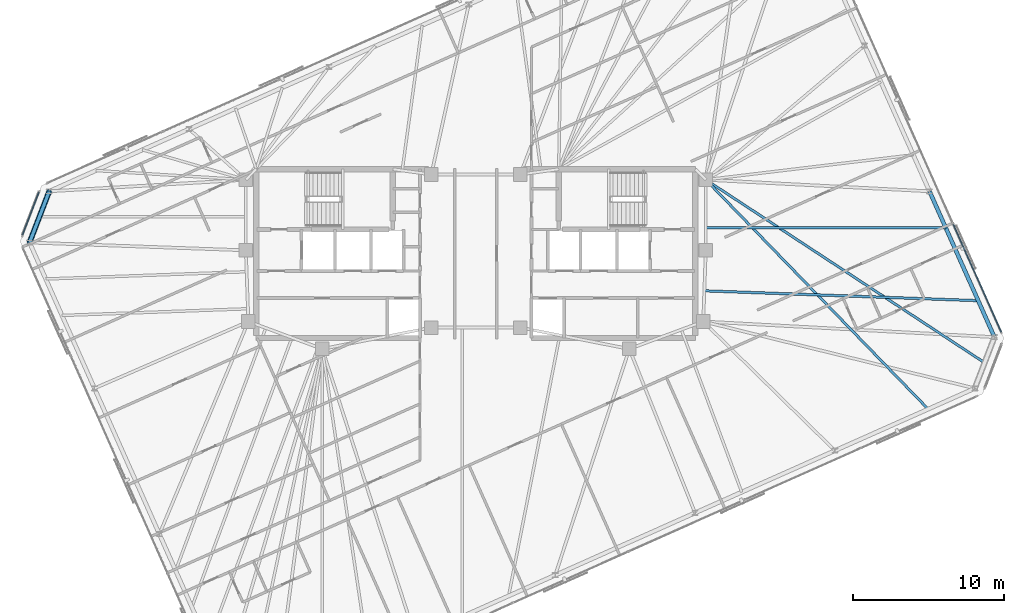
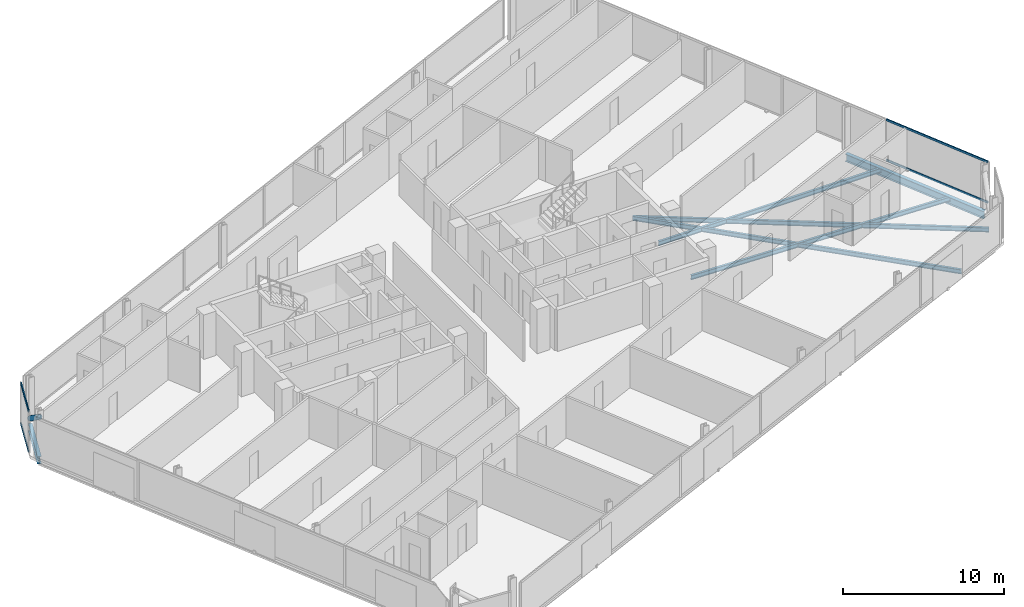
# One storey, part 8 of 19: 6 beams, 5 members, 2 elements without a shape of their own.
"""IFC4 building model written with IfcOpenShell, lengths in metres."""

import ifcopenshell
import ifcopenshell.guid

model = None  # the IFC model being written
_history = None  # IfcOwnerHistory: only IFC2X3 demands one
_inside = {}  # id of a spatial element -> (the spatial element, [elements in it])
_under = {}  # id of a project, library or spatial element -> (it, [spatial elements below it])
_declared = {}  # id of a project -> (the project, [libraries it declares])
_typed = {}  # id of a type object -> (the type object, [elements of that type])
_made_of = {}  # id of a material, layer set ... -> (it, [elements and type objects made of it])


def new_model(schema):
    """Start an empty IFC model of exactly this schema.

    Asked for "IFC4X3", IfcOpenShell would pick the latest addendum, in which some entities
    have other attributes; the version numbers below select the first issue.
    IFC2X3 requires an IfcOwnerHistory on every rooted entity: one is made here for all.
    """
    global model, _history
    if schema == "IFC4X3":
        model = ifcopenshell.file(schema_version=(4, 3, 0, 0))
    else:
        model = ifcopenshell.file(schema=schema)
    _inside.clear()
    _under.clear()
    _declared.clear()
    _typed.clear()
    _made_of.clear()
    _history = None
    if model.schema == "IFC2X3":
        org = make("IfcOrganization", Name="unknown")
        user = make(
            "IfcPersonAndOrganization",
            ThePerson=make("IfcPerson", FamilyName="unknown"),
            TheOrganization=org,
        )
        app = make(
            "IfcApplication",
            ApplicationDeveloper=org,
            Version="unknown",
            ApplicationFullName="unknown",
            ApplicationIdentifier="unknown",
        )
        _history = make(
            "IfcOwnerHistory",
            OwningUser=user,
            OwningApplication=app,
            ChangeAction="ADDED",
            CreationDate=0,
        )
    return model


def make(cls, **values):
    """One entity of the class cls with the attributes given. An attribute that is None is left unset."""
    return model.create_entity(
        cls, **{name: value for name, value in values.items() if value is not None}
    )


def rooted(cls, **values):
    """An entity with a GlobalId (a new one), such as an element, a storey or a relation."""
    return make(cls, GlobalId=ifcopenshell.guid.new(), OwnerHistory=_history, **values)


def si_unit(unit_type, name, prefix=None):
    """IfcSIUnit, for example si_unit("LENGTHUNIT", "METRE", prefix="MILLI")."""
    return make("IfcSIUnit", UnitType=unit_type, Prefix=prefix, Name=name)


def assignment(units):
    """IfcUnitAssignment: the units of a project."""
    return None if units is None else make("IfcUnitAssignment", Units=units)


def point(xyz):
    """IfcCartesianPoint."""
    return None if xyz is None else make("IfcCartesianPoint", Coordinates=xyz)


def direction(xyz):
    """IfcDirection."""
    return None if xyz is None else make("IfcDirection", DirectionRatios=xyz)


def frame(location, z_axis=None, x_axis=None):
    """IfcAxis2Placement3D, a coordinate frame: its origin and axes. An axis left out is left unset."""
    return make(
        "IfcAxis2Placement3D",
        Location=point(location),
        Axis=direction(z_axis),
        RefDirection=direction(x_axis),
    )


def frame_2d(location, x_axis=None):
    """IfcAxis2Placement2D, a coordinate frame in the plane: its origin and x axis."""
    return make(
        "IfcAxis2Placement2D", Location=point(location), RefDirection=direction(x_axis)
    )


def origin():
    """The frame at (0, 0, 0) with its axes left unset."""
    return frame((0.0, 0.0, 0.0))


def origin_2d():
    """The frame at (0, 0) in the plane with its x axis left unset."""
    return frame_2d((0.0, 0.0))


def place(relative_to, where):
    """IfcLocalPlacement: puts the frame where relative to a parent placement (None: the world)."""
    return make(
        "IfcLocalPlacement", PlacementRelTo=relative_to, RelativePlacement=where
    )


def context(
    kind, dimensions, precision=None, world=None, true_north=None, identifier=None
):
    """IfcGeometricRepresentationContext, for example the 3D "Model" context."""
    return make(
        "IfcGeometricRepresentationContext",
        ContextIdentifier=identifier,
        ContextType=kind,
        CoordinateSpaceDimension=dimensions,
        Precision=precision,
        WorldCoordinateSystem=world,
        TrueNorth=true_north,
    )


def subcontext(parent, identifier, kind, view, scale=None):
    """IfcGeometricRepresentationSubContext, for example "Body" below "Model"."""
    return make(
        "IfcGeometricRepresentationSubContext",
        ContextIdentifier=identifier,
        ContextType=kind,
        ParentContext=parent,
        TargetScale=scale,
        TargetView=view,
    )


def project(units=None, contexts=None):
    """IfcProject with its units and contexts."""
    return rooted(
        "IfcProject",
        Name="project",
        RepresentationContexts=contexts,
        UnitsInContext=assignment(units),
    )


def spatial(cls, under=None, at=None, **own):
    """A site, building, storey or space (cls), placed at a placement, below another one or the project."""
    s = rooted(cls, ObjectPlacement=at, **own)
    if under is not None:
        _under.setdefault(under.id(), (under, []))[1].append(s)
    return s


def profile(cls, at=None, kind="AREA", **sizes):
    """A parametric profile (cls). Its sizes go by their IFC names, for example OverallWidth=200.0."""
    return make(cls, ProfileType=kind, Position=at, **sizes)


def rectangle(**sizes):
    """IfcRectangleProfileDef."""
    return profile("IfcRectangleProfileDef", **sizes)


def hollow_circle(**sizes):
    """IfcCircleHollowProfileDef."""
    return profile("IfcCircleHollowProfileDef", **sizes)


def i_section(**sizes):
    """IfcIShapeProfileDef."""
    return profile("IfcIShapeProfileDef", **sizes)


def extrude(swept, where, along, depth):
    """IfcExtrudedAreaSolid: the profile swept, set in the frame where, extruded along a direction by depth."""
    return make(
        "IfcExtrudedAreaSolid",
        SweptArea=swept,
        Position=where,
        ExtrudedDirection=direction(along),
        Depth=depth,
    )


def shape(context_of_items, identifier, shape_type, items):
    """IfcShapeRepresentation: the items that make up one representation, for example the "Body"."""
    return make(
        "IfcShapeRepresentation",
        ContextOfItems=context_of_items,
        RepresentationIdentifier=identifier,
        RepresentationType=shape_type,
        Items=items,
    )


def material(Name=None, Category=None):
    """IfcMaterial."""
    return make("IfcMaterial", Name=Name, Category=Category)


def material_profile(
    of_material, cross_section, Name=None, Category=None, Priority=None
):
    """IfcMaterialProfile: a cross section and its material."""
    return make(
        "IfcMaterialProfile",
        Name=Name,
        Material=of_material,
        Profile=cross_section,
        Priority=Priority,
        Category=Category,
    )


def profile_set(profiles, Name=None, composite=None):
    """IfcMaterialProfileSet."""
    return make(
        "IfcMaterialProfileSet",
        Name=Name,
        MaterialProfiles=profiles,
        CompositeProfile=composite,
    )


def made_of(thing, what):
    """Note that an element or type object is made of a material, layer set ...; save() writes the relation."""
    if what is not None:
        _made_of.setdefault(what.id(), (what, []))[1].append(thing)
    return thing


def type_object(cls, material=None, **own):
    """A type object (cls), such as IfcWallType, which elements share."""
    return made_of(rooted(cls, **own), material)


def element(
    cls,
    number,
    at=None,
    inside=None,
    cuts=None,
    type_object=None,
    material=None,
    context=None,
    identifier="Body",
    shape_type=None,
    held_by="IfcProductDefinitionShape",
    body=None,
    shapes=None,
    **own,
):
    """One element of the class cls, such as IfcWall. Its Tag is "e" and its number.

    at: its placement. inside: the storey or other place that contains it. cuts: it is an
    opening in that element (IfcRelVoidsElement). A single representation is given by context,
    identifier, shape_type and body (its items); several are given by shapes. held_by: the class
    of the entity that holds the representations. save() writes the other relations.
    """
    e = rooted(cls, Tag="e%d" % number, ObjectPlacement=at, **own)
    if body is not None:
        shapes = [shape(context, identifier, shape_type, body)]
    if shapes is not None:
        e.Representation = make(held_by, Representations=shapes)
    if inside is not None:
        _inside.setdefault(inside.id(), (inside, []))[1].append(e)
    if cuts is not None:
        rooted(
            "IfcRelVoidsElement", RelatingBuildingElement=cuts, RelatedOpeningElement=e
        )
    if type_object is not None:
        _typed.setdefault(type_object.id(), (type_object, []))[1].append(e)
    return made_of(e, material)


def aggregate(whole, parts):
    """IfcRelAggregates: a whole, such as a stair, and the parts it consists of."""
    return rooted("IfcRelAggregates", RelatingObject=whole, RelatedObjects=parts)


def save(model, path):
    """Write the relations noted so far, then the file.

    IfcRelAggregates (storeys below a building ...), IfcRelContainedInSpatialStructure (elements
    in a storey), IfcRelDefinesByType, IfcRelAssociatesMaterial and IfcRelDeclares: one each for
    every whole, place, type object, material and project.
    """
    for whole, parts in _under.values():
        aggregate(whole, parts)
    for where, things in _inside.values():
        rooted(
            "IfcRelContainedInSpatialStructure",
            RelatedElements=things,
            RelatingStructure=where,
        )
    for kind, things in _typed.values():
        rooted("IfcRelDefinesByType", RelatedObjects=things, RelatingType=kind)
    for what, things in _made_of.values():
        rooted("IfcRelAssociatesMaterial", RelatedObjects=things, RelatingMaterial=what)
    for by, libraries in _declared.values():
        rooted("IfcRelDeclares", RelatingContext=by, RelatedDefinitions=libraries)
    model.write(path)


model = new_model("IFC4")

# Units and contexts
model_context = context("Model", 3, precision=1e-05, world=origin(), true_north=direction((0.0, 1.0)))
body_context = subcontext(model_context, "Body", "Model", "MODEL_VIEW")
ifc_project = project(units=[si_unit("LENGTHUNIT", "METRE"), si_unit("AREAUNIT", "SQUARE_METRE"), si_unit("VOLUMEUNIT", "CUBIC_METRE"), si_unit("PLANEANGLEUNIT", "RADIAN"), si_unit("MASSUNIT", "GRAM", prefix="KILO")], contexts=[model_context])

# Site, building, storey
site_placement = place(None, origin())
site = spatial("IfcSite", under=ifc_project, at=site_placement, CompositionType="ELEMENT")
building_placement = place(site_placement, origin())
building = spatial("IfcBuilding", under=site, at=building_placement, Name="Menara Jurai Vektor", CompositionType="ELEMENT")
storey_placement = place(building_placement, frame((0.0, 0.0, 288.60009765625)))
storey = spatial("IfcBuildingStorey", under=building, at=storey_placement, Name="L77", CompositionType="ELEMENT", Elevation=288.60009765625)

# Curtain wall, members
ifc_material_1 = material(Name="Anodised Pale Aluminium & Low-E Double Glazing", Category="aluminium")
curtain_wall_type = type_object("IfcCurtainWallType", Name="CW-BLK5", PredefinedType="NOTDEFINED", material=ifc_material_1)
curtain_wall_1_placement = place(storey_placement, origin())
curtain_wall_1 = element("IfcCurtainWall", 1, at=curtain_wall_1_placement, inside=storey, type_object=curtain_wall_type, Name="Unitised Curtain Wall L77 F03", PredefinedType="NOTDEFINED")
ifc_material_2 = material(Name="Anodised Pale Aluminium Transom", Category="aluminium")
ifc_material_profile_1 = material_profile(ifc_material_2, rectangle(XDim=0.074951171875, YDim=0.155029296875, at=origin_2d()), Name="ALU TRN 75x155")
ifc_profile_set_1 = profile_set([ifc_material_profile_1], Name="Anodised Pale Aluminium Transom")
member_type_1 = type_object("IfcMemberType", Name="CW-BLK5-TRN", PredefinedType="USERDEFINED", material=ifc_profile_set_1)
member_1_placement = place(storey_placement, frame((34.840087890625, -5.19189453125, 0.037353515625), z_axis=(-0.406739711224, 0.913544091609, 0.0), x_axis=(-0.913544091609, -0.406739711224, 0.0)))
member_1 = element("IfcMember", 2, at=member_1_placement, type_object=member_type_1, Name="CW-05 transom 1.1", ObjectType="TRANSOM", PredefinedType="USERDEFINED", context=body_context, shape_type="SweptSolid", body=[
    extrude(rectangle(XDim=0.074951171875, YDim=0.155029296875, at=origin_2d()), origin(), (0.0, 0.0, 1.0), 7.797607421875),
])
member_2_placement = place(storey_placement, frame((34.840087890625, -5.19189453125, 3.08740234375), z_axis=(-0.406739711224, 0.913544091609, 0.0), x_axis=(-0.913544091609, -0.406739711224, 0.0)))
member_2 = element("IfcMember", 3, at=member_2_placement, type_object=member_type_1, Name="CW-05 transom 1.2", ObjectType="TRANSOM", PredefinedType="USERDEFINED", context=body_context, shape_type="SweptSolid", body=[
    extrude(rectangle(XDim=0.074951171875, YDim=0.155029296875, at=origin_2d()), origin(), (0.0, 0.0, 1.0), 7.797607421875),
])
aggregate(curtain_wall_1, [member_1, member_2])

curtain_wall_2_placement = place(storey_placement, origin())
curtain_wall_2 = element("IfcCurtainWall", 4, at=curtain_wall_2_placement, inside=storey, type_object=curtain_wall_type, Name="Unitised Curtain Wall L77 F06", PredefinedType="NOTDEFINED")
member_3_placement = place(storey_placement, frame((-28.96923828125, 4.079345703125, 0.037353515625), z_axis=(-0.358324523823, -0.933597094911, 0.0), x_axis=(0.933597094911, -0.358324523823, 0.0)))
member_3 = element("IfcMember", 5, at=member_3_placement, type_object=member_type_1, Name="CW-05 transom 1.1", ObjectType="TRANSOM", PredefinedType="USERDEFINED", context=body_context, shape_type="SweptSolid", body=[
    extrude(rectangle(XDim=0.074951171875, YDim=0.155029296875, at=origin_2d()), origin(), (0.0, 0.0, 1.0), 3.049560546875),
])
member_4_placement = place(storey_placement, frame((-28.96923828125, 4.079345703125, 3.08740234375), z_axis=(-0.358324523823, -0.933597094911, 0.0), x_axis=(0.933597094911, -0.358324523823, 0.0)))
member_4 = element("IfcMember", 6, at=member_4_placement, type_object=member_type_1, Name="CW-05 transom 1.2", ObjectType="TRANSOM", PredefinedType="USERDEFINED", context=body_context, shape_type="SweptSolid", body=[
    extrude(rectangle(XDim=0.074951171875, YDim=0.155029296875, at=origin_2d()), origin(), (0.0, 0.0, 1.0), 3.049560546875),
])
aggregate(curtain_wall_2, [member_3, member_4])

# Member
ifc_material_3 = material(Name="Steel S460", Category="steel")
ifc_material_profile_2 = material_profile(ifc_material_3, hollow_circle(Radius=0.177734375, WallThickness=0.01611328125, at=origin_2d()), Name="CHS 355.6x16")
ifc_profile_set_2 = profile_set([ifc_material_profile_2], Name="Steel S460")
member_type_2 = type_object("IfcMemberType", Name="STR-BR-356", PredefinedType="BRACE", material=ifc_profile_set_2)
member_5_placement = place(storey_placement, frame((-28.2880859375, 4.1328125, 0.14990234375), z_axis=(-0.2906257681, -0.757042028889, 0.585170085882), x_axis=(0.933570293083, -0.358394346877, 0.0)))
element("IfcMember", 7, at=member_5_placement, inside=storey, type_object=member_type_2, Name="Exoskeleton Corner Brace L77-3", PredefinedType="BRACE", context=body_context, shape_type="SweptSolid", body=[
    extrude(hollow_circle(Radius=0.177734375, WallThickness=0.01611328125, at=origin_2d()), origin(), (0.0, 0.0, 1.0), 4.48583984375),
])

# Beams
ifc_material_4 = material(Name="Steel S355", Category="steel")
ifc_material_profile_3 = material_profile(ifc_material_4, i_section(OverallWidth=0.1650390625, OverallDepth=0.330078125, WebThickness=0.009033203125, FlangeThickness=0.013916015625, at=origin_2d()), Name="PG 330x165x46")
ifc_profile_set_3 = profile_set([ifc_material_profile_3], Name="Steel S355")
beam_type_1 = type_object("IfcBeamType", Name="STR-JS-330", PredefinedType="JOIST", material=ifc_profile_set_3)
beam_1_placement = place(storey_placement, frame((29.996826171875, -10.30908203125, -0.39013671875), z_axis=(-0.696114697983, 0.717930586653, 0.0), x_axis=(-0.717930586653, -0.696114697983, 0.0)))
element("IfcBeam", 8, at=beam_1_placement, inside=storey, type_object=beam_type_1, Name="Radial Secondary Floor Joist L77-JS06", PredefinedType="JOIST", context=body_context, shape_type="SweptSolid", body=[
    extrude(i_section(OverallWidth=0.1650390625, OverallDepth=0.330078125, WebThickness=0.009033203125, FlangeThickness=0.013916015625, at=origin_2d()), origin(), (0.0, 0.0, 1.0), 21.1845703125),
])
beam_2_placement = place(storey_placement, frame((33.739990234375, -7.23486328125, -0.39013671875), z_axis=(-0.836033194478, 0.54867886576, 0.0), x_axis=(-0.54867886576, -0.836033194478, 0.0)))
element("IfcBeam", 9, at=beam_2_placement, inside=storey, type_object=beam_type_1, Name="Radial Secondary Floor Joist L77-JS07", PredefinedType="JOIST", context=body_context, shape_type="SweptSolid", body=[
    extrude(i_section(OverallWidth=0.1650390625, OverallDepth=0.330078125, WebThickness=0.009033203125, FlangeThickness=0.013916015625, at=origin_2d()), origin(), (0.0, 0.0, 1.0), 22.116455078125),
])
beam_3_placement = place(storey_placement, frame((33.315185546875, -3.119384765625, -0.39013671875), z_axis=(-0.999351699571, 0.036002507761, 0.0), x_axis=(-0.036002507761, -0.999351699571, 0.0)))
element("IfcBeam", 10, at=beam_3_placement, inside=storey, type_object=beam_type_1, Name="Radial Secondary Floor Joist L77-JS08", PredefinedType="JOIST", context=body_context, shape_type="SweptSolid", body=[
    extrude(i_section(OverallWidth=0.1650390625, OverallDepth=0.330078125, WebThickness=0.009033203125, FlangeThickness=0.013916015625, at=origin_2d()), origin(), (0.0, 0.0, 1.0), 18.173583984375),
])
beam_4_placement = place(storey_placement, frame((31.16259765625, 1.7158203125, -0.39013671875), z_axis=(-1.0, 0.0, 0.0), x_axis=(0.0, -1.0, 0.0)))
element("IfcBeam", 11, at=beam_4_placement, inside=storey, type_object=beam_type_1, Name="Radial Secondary Floor Joist L77-JS09", PredefinedType="JOIST", context=body_context, shape_type="SweptSolid", body=[
    extrude(i_section(OverallWidth=0.1650390625, OverallDepth=0.330078125, WebThickness=0.009033203125, FlangeThickness=0.013916015625, at=origin_2d()), origin(), (0.0, 0.0, 1.0), 15.91259765625),
])
ifc_material_profile_4 = material_profile(ifc_material_4, i_section(OverallWidth=0.260009765625, OverallDepth=0.570068359375, WebThickness=0.013916015625, FlangeThickness=0.02392578125, at=origin_2d()), Name="PG 570x260x145")
ifc_profile_set_4 = profile_set([ifc_material_profile_4], Name="Steel S355")
beam_type_2 = type_object("IfcBeamType", Name="STR-SP-570", PredefinedType="SPANDREL", material=ifc_profile_set_4)
beam_5_placement = place(storey_placement, frame((34.3916015625, -5.536865234375, -0.510009765625), z_axis=(-0.40673543049, 0.91354599752, 0.0), x_axis=(-0.91354599752, -0.40673543049, 0.0)))
element("IfcBeam", 12, at=beam_5_placement, inside=storey, type_object=beam_type_2, Name="Exoskeleton Spandrel Beam L77-07", PredefinedType="SPANDREL", context=body_context, shape_type="SweptSolid", body=[
    extrude(i_section(OverallWidth=0.260009765625, OverallDepth=0.570068359375, WebThickness=0.013916015625, FlangeThickness=0.02392578125, at=origin_2d()), origin(), (0.0, 0.0, 1.0), 10.585205078125),
])
beam_6_placement = place(storey_placement, frame((-28.2880859375, 4.1328125, -0.510009765625), z_axis=(-0.358394346877, -0.933570293083, 0.0), x_axis=(0.933570293083, -0.358394346877, 0.0)))
element("IfcBeam", 13, at=beam_6_placement, inside=storey, type_object=beam_type_2, Name="Exoskeleton Spandrel Beam L77-16", PredefinedType="SPANDREL", context=body_context, shape_type="SweptSolid", body=[
    extrude(i_section(OverallWidth=0.260009765625, OverallDepth=0.570068359375, WebThickness=0.013916015625, FlangeThickness=0.02392578125, at=origin_2d()), origin(), (0.0, 0.0, 1.0), 3.6376953125),
])

save(model, "model.ifc")
